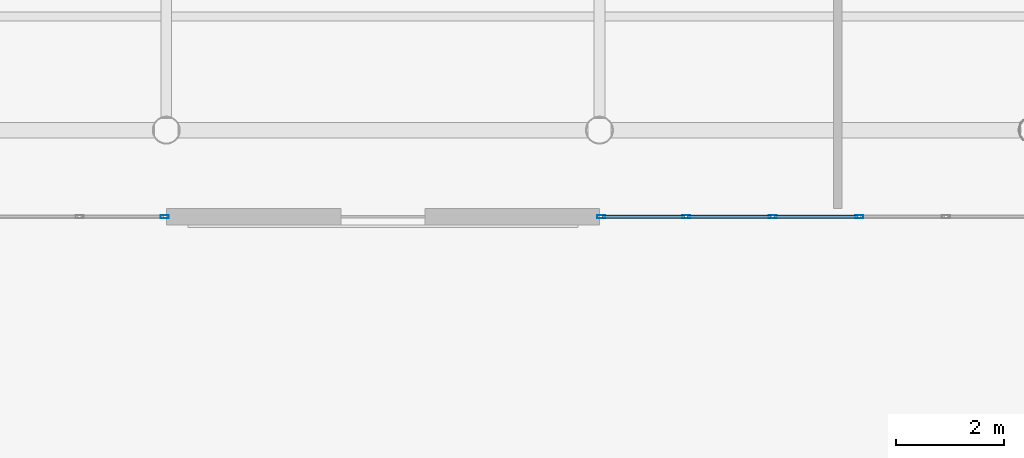
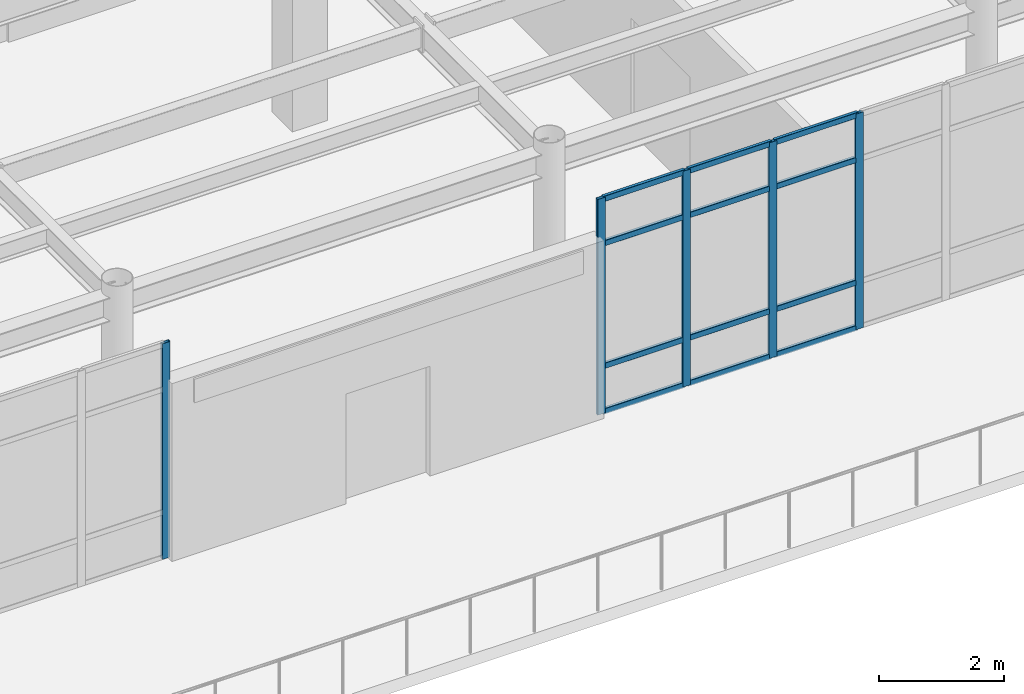
# One storey, part 35 of 93: 17 members, 2 elements without a shape of their own.
"""IFC4 building model written with IfcOpenShell, lengths in metres."""

from ifc_helpers import new_model, si_unit, direction, frame, origin, origin_2d, place, context, subcontext, project, spatial, hollow_rectangle, extrude, material, material_profile, profile_set, type_object, element, aggregate, save


model = new_model("IFC4")

# Units and contexts
model_context = context("Model", 3, precision=1e-05, world=origin(), true_north=direction((0.0, 1.0)))
body_context = subcontext(model_context, "Body", "Model", "MODEL_VIEW")
ifc_project = project(units=[si_unit("LENGTHUNIT", "METRE"), si_unit("AREAUNIT", "SQUARE_METRE"), si_unit("VOLUMEUNIT", "CUBIC_METRE"), si_unit("PLANEANGLEUNIT", "RADIAN"), si_unit("MASSUNIT", "GRAM", prefix="KILO")], contexts=[model_context])

# Site, building, storey
site_placement = place(None, origin())
site = spatial("IfcSite", under=ifc_project, at=site_placement, CompositionType="ELEMENT")
building_placement = place(site_placement, origin())
building = spatial("IfcBuilding", under=site, at=building_placement, Name="Solmirada Galleria", CompositionType="ELEMENT")
storey_placement = place(building_placement, frame((0.0, 0.0, 14.89990234375)))
storey = spatial("IfcBuildingStorey", under=building, at=storey_placement, Name="L03", CompositionType="ELEMENT", Elevation=14.89990234375)

# Curtain wall, members
ifc_material_1 = material(Name="Impact-resistant low-E double glazing", Category="glass")
curtain_wall_type = type_object("IfcCurtainWallType", Name="CW-FZ4-L03-B5-L080", PredefinedType="NOTDEFINED", material=ifc_material_1)
curtain_wall_1_placement = place(storey_placement, origin())
curtain_wall_1 = element("IfcCurtainWall", 1, at=curtain_wall_1_placement, inside=storey, type_object=curtain_wall_type, Name="Terrace and arcade storefront CW-L03-125", PredefinedType="NOTDEFINED")
ifc_material_2 = material(Name="Anodised aluminium framing", Category="aluminium")
ifc_material_profile_1 = material_profile(ifc_material_2, hollow_rectangle(XDim=0.06005859375, YDim=0.14990234375, WallThickness=0.00341796875, InnerFilletRadius=0.00341796875, OuterFilletRadius=0.007080078125, at=origin_2d()), Name="ALU-MULL-150X60")
ifc_profile_set_1 = profile_set([ifc_material_profile_1], Name="Anodised aluminium framing")
member_type_1 = type_object("IfcMemberType", Name="CW-MULL-150", PredefinedType="MULLION", material=ifc_profile_set_1)
member_1_placement = place(storey_placement, frame((68.800048828125, 86.39990234375, 0.0), z_axis=(0.0, 0.0, 1.0), x_axis=(0.0, -1.0, 0.0)))
member_1 = element("IfcMember", 2, at=member_1_placement, type_object=member_type_1, Name="CW28 mullion 3", PredefinedType="MULLION", context=body_context, shape_type="SweptSolid", body=[
    extrude(hollow_rectangle(XDim=0.06005859375, YDim=0.14990234375, WallThickness=0.00341796875, InnerFilletRadius=0.00341796875, OuterFilletRadius=0.007080078125, at=origin_2d()), origin(), (0.0, 0.0, 1.0), 4.22021484375),
])
member_2_placement = place(storey_placement, frame((67.199951171875, 86.39990234375, 0.0), z_axis=(0.0, 0.0, 1.0), x_axis=(0.0, -1.0, 0.0)))
member_2 = element("IfcMember", 3, at=member_2_placement, type_object=member_type_1, Name="CW28 mullion 4", PredefinedType="MULLION", context=body_context, shape_type="SweptSolid", body=[
    extrude(hollow_rectangle(XDim=0.06005859375, YDim=0.14990234375, WallThickness=0.00341796875, InnerFilletRadius=0.00341796875, OuterFilletRadius=0.007080078125, at=origin_2d()), origin(), (0.0, 0.0, 1.0), 4.22021484375),
])
member_3_placement = place(storey_placement, frame((65.60009765625, 86.39990234375, 0.0), z_axis=(0.0, 0.0, 1.0), x_axis=(0.0, -1.0, 0.0)))
member_3 = element("IfcMember", 4, at=member_3_placement, type_object=member_type_1, Name="CW28 mullion 5", PredefinedType="MULLION", context=body_context, shape_type="SweptSolid", body=[
    extrude(hollow_rectangle(XDim=0.06005859375, YDim=0.14990234375, WallThickness=0.00341796875, InnerFilletRadius=0.00341796875, OuterFilletRadius=0.007080078125, at=origin_2d()), origin(), (0.0, 0.0, 1.0), 4.22021484375),
])
member_4_placement = place(storey_placement, frame((64.030029296875, 86.39990234375, 0.0), z_axis=(0.0, 0.0, 1.0), x_axis=(0.0, -1.0, 0.0)))
member_4 = element("IfcMember", 5, at=member_4_placement, type_object=member_type_1, Name="CW28 mullion 6", PredefinedType="MULLION", context=body_context, shape_type="SweptSolid", body=[
    extrude(hollow_rectangle(XDim=0.06005859375, YDim=0.14990234375, WallThickness=0.00341796875, InnerFilletRadius=0.00341796875, OuterFilletRadius=0.007080078125, at=origin_2d()), origin(), (0.0, 0.0, 1.0), 4.22021484375),
])

# Curtain wall, member
curtain_wall_2_placement = place(storey_placement, origin())
curtain_wall_2 = element("IfcCurtainWall", 6, at=curtain_wall_2_placement, inside=storey, type_object=curtain_wall_type, Name="Terrace and arcade storefront CW-L03-126", PredefinedType="NOTDEFINED")
member_5_placement = place(storey_placement, frame((55.969970703125, 86.39990234375, 0.0), z_axis=(0.0, 0.0, 1.0), x_axis=(0.0, -1.0, 0.0)))
member_5 = element("IfcMember", 7, at=member_5_placement, type_object=member_type_1, Name="CW28 mullion 1", PredefinedType="MULLION", context=body_context, shape_type="SweptSolid", body=[
    extrude(hollow_rectangle(XDim=0.06005859375, YDim=0.14990234375, WallThickness=0.00341796875, InnerFilletRadius=0.00341796875, OuterFilletRadius=0.007080078125, at=origin_2d()), origin(), (0.0, 0.0, 1.0), 4.22021484375),
])
aggregate(curtain_wall_2, [member_5])

# Member
ifc_material_profile_2 = material_profile(ifc_material_2, hollow_rectangle(XDim=0.06005859375, YDim=0.110107421875, WallThickness=0.003173828125, InnerFilletRadius=0.003173828125, OuterFilletRadius=0.00634765625, at=origin_2d()), Name="ALU-TRAN-110X60")
ifc_profile_set_2 = profile_set([ifc_material_profile_2], Name="Anodised aluminium framing")
member_type_2 = type_object("IfcMemberType", Name="CW-TRAN-110", PredefinedType="USERDEFINED", material=ifc_profile_set_2)
member_6_placement = place(storey_placement, frame((68.77001953125, 86.39990234375, 0.030029296875), z_axis=(-1.0, 0.0, 0.0), x_axis=(0.0, -1.0, 0.0)))
member_6 = element("IfcMember", 8, at=member_6_placement, type_object=member_type_2, Name="CW28 transom 3.1", ObjectType="TRANSOM", PredefinedType="USERDEFINED", context=body_context, shape_type="SweptSolid", body=[
    extrude(hollow_rectangle(XDim=0.06005859375, YDim=0.110107421875, WallThickness=0.003173828125, InnerFilletRadius=0.003173828125, OuterFilletRadius=0.00634765625, at=origin_2d()), origin(), (0.0, 0.0, 1.0), 1.5400390625),
])

member_7_placement = place(storey_placement, frame((68.77001953125, 86.39990234375, 0.920166015625), z_axis=(-1.0, 0.0, 0.0), x_axis=(0.0, -1.0, 0.0)))
member_7 = element("IfcMember", 9, at=member_7_placement, type_object=member_type_2, Name="CW28 transom 3.2", ObjectType="TRANSOM", PredefinedType="USERDEFINED", context=body_context, shape_type="SweptSolid", body=[
    extrude(hollow_rectangle(XDim=0.06005859375, YDim=0.110107421875, WallThickness=0.003173828125, InnerFilletRadius=0.003173828125, OuterFilletRadius=0.00634765625, at=origin_2d()), origin(), (0.0, 0.0, 1.0), 1.5400390625),
])

member_8_placement = place(storey_placement, frame((68.77001953125, 86.39990234375, 3.320068359375), z_axis=(-1.0, 0.0, 0.0), x_axis=(0.0, -1.0, 0.0)))
member_8 = element("IfcMember", 10, at=member_8_placement, type_object=member_type_2, Name="CW28 transom 3.3", ObjectType="TRANSOM", PredefinedType="USERDEFINED", context=body_context, shape_type="SweptSolid", body=[
    extrude(hollow_rectangle(XDim=0.06005859375, YDim=0.110107421875, WallThickness=0.003173828125, InnerFilletRadius=0.003173828125, OuterFilletRadius=0.00634765625, at=origin_2d()), origin(), (0.0, 0.0, 1.0), 1.5400390625),
])

member_9_placement = place(storey_placement, frame((68.77001953125, 86.39990234375, 4.190185546875), z_axis=(-1.0, 0.0, 0.0), x_axis=(0.0, -1.0, 0.0)))
member_9 = element("IfcMember", 11, at=member_9_placement, type_object=member_type_2, Name="CW28 transom 3.4", ObjectType="TRANSOM", PredefinedType="USERDEFINED", context=body_context, shape_type="SweptSolid", body=[
    extrude(hollow_rectangle(XDim=0.06005859375, YDim=0.110107421875, WallThickness=0.003173828125, InnerFilletRadius=0.003173828125, OuterFilletRadius=0.00634765625, at=origin_2d()), origin(), (0.0, 0.0, 1.0), 1.5400390625),
])

member_10_placement = place(storey_placement, frame((67.169921875, 86.39990234375, 0.030029296875), z_axis=(-1.0, 0.0, 0.0), x_axis=(0.0, -1.0, 0.0)))
member_10 = element("IfcMember", 12, at=member_10_placement, type_object=member_type_2, Name="CW28 transom 4.1", ObjectType="TRANSOM", PredefinedType="USERDEFINED", context=body_context, shape_type="SweptSolid", body=[
    extrude(hollow_rectangle(XDim=0.06005859375, YDim=0.110107421875, WallThickness=0.003173828125, InnerFilletRadius=0.003173828125, OuterFilletRadius=0.00634765625, at=origin_2d()), origin(), (0.0, 0.0, 1.0), 1.5400390625),
])

member_11_placement = place(storey_placement, frame((67.169921875, 86.39990234375, 0.920166015625), z_axis=(-1.0, 0.0, 0.0), x_axis=(0.0, -1.0, 0.0)))
member_11 = element("IfcMember", 13, at=member_11_placement, type_object=member_type_2, Name="CW28 transom 4.2", ObjectType="TRANSOM", PredefinedType="USERDEFINED", context=body_context, shape_type="SweptSolid", body=[
    extrude(hollow_rectangle(XDim=0.06005859375, YDim=0.110107421875, WallThickness=0.003173828125, InnerFilletRadius=0.003173828125, OuterFilletRadius=0.00634765625, at=origin_2d()), origin(), (0.0, 0.0, 1.0), 1.5400390625),
])

member_12_placement = place(storey_placement, frame((67.169921875, 86.39990234375, 3.320068359375), z_axis=(-1.0, 0.0, 0.0), x_axis=(0.0, -1.0, 0.0)))
member_12 = element("IfcMember", 14, at=member_12_placement, type_object=member_type_2, Name="CW28 transom 4.3", ObjectType="TRANSOM", PredefinedType="USERDEFINED", context=body_context, shape_type="SweptSolid", body=[
    extrude(hollow_rectangle(XDim=0.06005859375, YDim=0.110107421875, WallThickness=0.003173828125, InnerFilletRadius=0.003173828125, OuterFilletRadius=0.00634765625, at=origin_2d()), origin(), (0.0, 0.0, 1.0), 1.5400390625),
])

member_13_placement = place(storey_placement, frame((67.169921875, 86.39990234375, 4.190185546875), z_axis=(-1.0, 0.0, 0.0), x_axis=(0.0, -1.0, 0.0)))
member_13 = element("IfcMember", 15, at=member_13_placement, type_object=member_type_2, Name="CW28 transom 4.4", ObjectType="TRANSOM", PredefinedType="USERDEFINED", context=body_context, shape_type="SweptSolid", body=[
    extrude(hollow_rectangle(XDim=0.06005859375, YDim=0.110107421875, WallThickness=0.003173828125, InnerFilletRadius=0.003173828125, OuterFilletRadius=0.00634765625, at=origin_2d()), origin(), (0.0, 0.0, 1.0), 1.5400390625),
])

member_14_placement = place(storey_placement, frame((65.570068359375, 86.39990234375, 0.030029296875), z_axis=(-1.0, 0.0, 0.0), x_axis=(0.0, -1.0, 0.0)))
member_14 = element("IfcMember", 16, at=member_14_placement, type_object=member_type_2, Name="CW28 transom 5.1", ObjectType="TRANSOM", PredefinedType="USERDEFINED", context=body_context, shape_type="SweptSolid", body=[
    extrude(hollow_rectangle(XDim=0.06005859375, YDim=0.110107421875, WallThickness=0.003173828125, InnerFilletRadius=0.003173828125, OuterFilletRadius=0.00634765625, at=origin_2d()), origin(), (0.0, 0.0, 1.0), 1.510009765625),
])

member_15_placement = place(storey_placement, frame((65.570068359375, 86.39990234375, 0.920166015625), z_axis=(-1.0, 0.0, 0.0), x_axis=(0.0, -1.0, 0.0)))
member_15 = element("IfcMember", 17, at=member_15_placement, type_object=member_type_2, Name="CW28 transom 5.2", ObjectType="TRANSOM", PredefinedType="USERDEFINED", context=body_context, shape_type="SweptSolid", body=[
    extrude(hollow_rectangle(XDim=0.06005859375, YDim=0.110107421875, WallThickness=0.003173828125, InnerFilletRadius=0.003173828125, OuterFilletRadius=0.00634765625, at=origin_2d()), origin(), (0.0, 0.0, 1.0), 1.510009765625),
])

member_16_placement = place(storey_placement, frame((65.570068359375, 86.39990234375, 3.320068359375), z_axis=(-1.0, 0.0, 0.0), x_axis=(0.0, -1.0, 0.0)))
member_16 = element("IfcMember", 18, at=member_16_placement, type_object=member_type_2, Name="CW28 transom 5.3", ObjectType="TRANSOM", PredefinedType="USERDEFINED", context=body_context, shape_type="SweptSolid", body=[
    extrude(hollow_rectangle(XDim=0.06005859375, YDim=0.110107421875, WallThickness=0.003173828125, InnerFilletRadius=0.003173828125, OuterFilletRadius=0.00634765625, at=origin_2d()), origin(), (0.0, 0.0, 1.0), 1.510009765625),
])

member_17_placement = place(storey_placement, frame((65.570068359375, 86.39990234375, 4.190185546875), z_axis=(-1.0, 0.0, 0.0), x_axis=(0.0, -1.0, 0.0)))
member_17 = element("IfcMember", 19, at=member_17_placement, type_object=member_type_2, Name="CW28 transom 5.4", ObjectType="TRANSOM", PredefinedType="USERDEFINED", context=body_context, shape_type="SweptSolid", body=[
    extrude(hollow_rectangle(XDim=0.06005859375, YDim=0.110107421875, WallThickness=0.003173828125, InnerFilletRadius=0.003173828125, OuterFilletRadius=0.00634765625, at=origin_2d()), origin(), (0.0, 0.0, 1.0), 1.510009765625),
])

aggregate(curtain_wall_1, [member_1, member_2, member_3, member_4, member_6, member_7, member_8, member_9, member_10, member_11, member_12, member_13, member_14, member_15, member_16, member_17])

save(model, "model.ifc")
